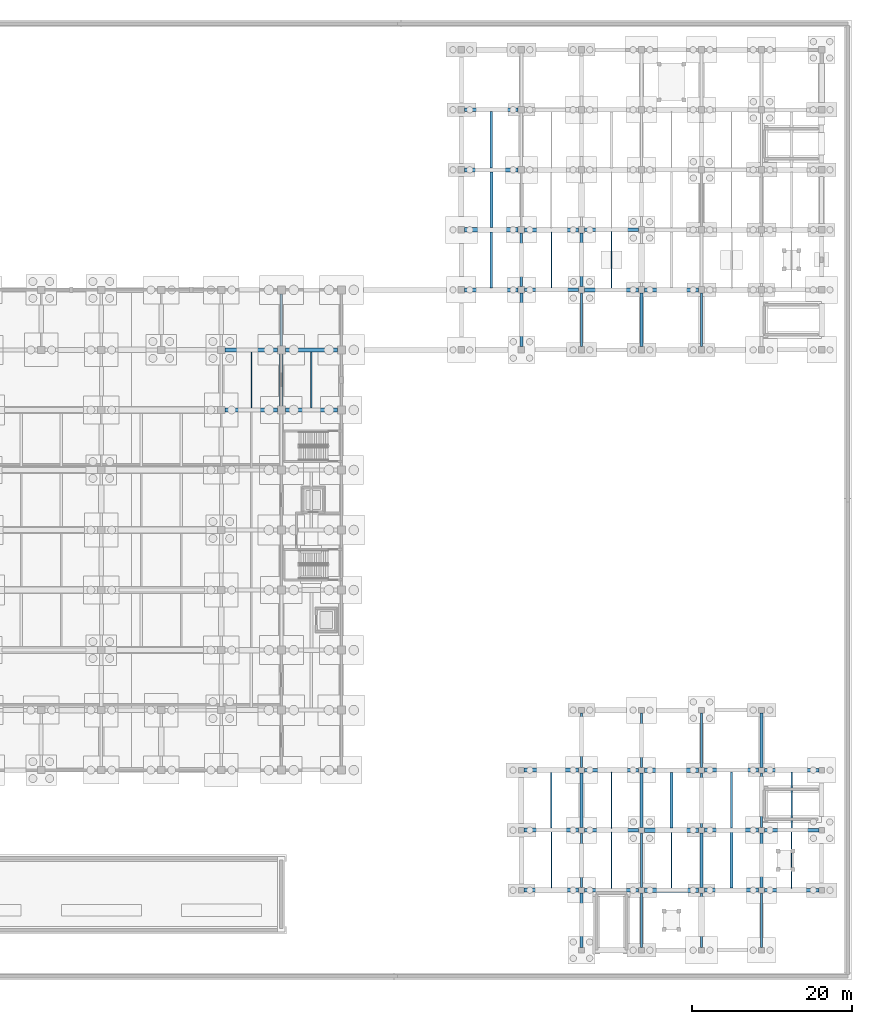
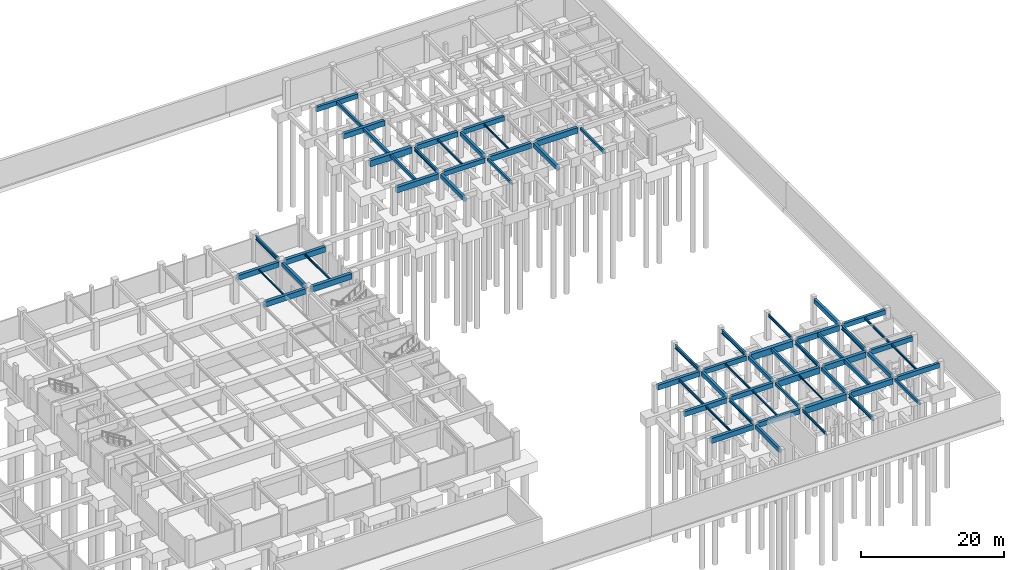
# One storey, part 18 of 38: 69 beams.
"""IFC4 building model written with IfcOpenShell, lengths in metres."""

from ifc_helpers import new_model, si_unit, direction, frame, origin, origin_2d, place, context, subcontext, project, spatial, rectangle, i_section, extrude, material, material_profile, profile_set, type_object, element, save


model = new_model("IFC4")

# Units and contexts
model_context = context("Model", 3, precision=1e-05, world=origin(), true_north=direction((0.0, 1.0)))
body_context = subcontext(model_context, "Body", "Model", "MODEL_VIEW")
ifc_project = project(units=[si_unit("LENGTHUNIT", "METRE"), si_unit("AREAUNIT", "SQUARE_METRE"), si_unit("VOLUMEUNIT", "CUBIC_METRE"), si_unit("PLANEANGLEUNIT", "RADIAN"), si_unit("MASSUNIT", "GRAM", prefix="KILO")], contexts=[model_context])

# Site, building, storey
site_placement = place(None, origin())
site = spatial("IfcSite", under=ifc_project, at=site_placement, CompositionType="ELEMENT")
building_placement = place(site_placement, origin())
building = spatial("IfcBuilding", under=site, at=building_placement, Name="Qasida Concert Hall", CompositionType="ELEMENT")
storey_placement = place(building_placement, frame((0.0, 0.0, -4.800048828125)))
storey = spatial("IfcBuildingStorey", under=building, at=storey_placement, Name="B1", CompositionType="ELEMENT", Elevation=-4.800048828125)

# Beams
ifc_material_1 = material(Name="Concrete C40/50", Category="concrete")
ifc_material_profile_1 = material_profile(ifc_material_1, rectangle(XDim=0.39990234375, YDim=0.64990234375, at=origin_2d()), Name="RC 400x650")
ifc_profile_set_1 = profile_set([ifc_material_profile_1], Name="Concrete C40/50")
beam_type_1 = type_object("IfcBeamType", Name="BM-B1", PredefinedType="BEAM", material=ifc_profile_set_1)
beam_1_placement = place(storey_placement, frame((97.5, 68.0, 4.175048828125), z_axis=(0.0, 1.0, 0.0), x_axis=(-1.0, 0.0, 0.0)))
element("IfcBeam", 1, at=beam_1_placement, inside=storey, type_object=beam_type_1, Name="B1 girder 0074", PredefinedType="BEAM", context=body_context, shape_type="SweptSolid", body=[
    extrude(rectangle(XDim=0.39990234375, YDim=0.64990234375, at=origin_2d()), origin(), (0.0, 0.0, 1.0), 6.5),
])
for number, where, z_axis, x_axis, name in (
    (2, (135.0, 0.35009765625, 4.175048828125), (0.0, 1.0, 0.0), (-1.0, 0.0, 0.0), "B1 girder 0121"),
    (3, (157.5, 7.85009765625, 4.175048828125), (0.0, 1.0, 0.0), (-1.0, 0.0, 0.0), "B1 girder 0134"),
):
    element("IfcBeam", number, at=place(storey_placement, frame(where, z_axis=z_axis, x_axis=x_axis)), inside=storey, type_object=beam_type_1, Name=name, PredefinedType="BEAM", context=body_context, shape_type="SweptSolid", body=[
        extrude(rectangle(XDim=0.39990234375, YDim=0.64990234375, at=origin_2d()), origin(), (0.0, 0.0, 1.0), 6.7998046875),
    ])
beam_2_placement = place(storey_placement, frame((135.0, 82.89990234375, 4.175048828125), z_axis=(0.0, 1.0, 0.0), x_axis=(-1.0, 0.0, 0.0)))
element("IfcBeam", 4, at=beam_2_placement, inside=storey, type_object=beam_type_1, Name="B1 girder 0259", PredefinedType="BEAM", context=body_context, shape_type="SweptSolid", body=[
    extrude(rectangle(XDim=0.39990234375, YDim=0.64990234375, at=origin_2d()), origin(), (0.0, 0.0, 1.0), 6.7001953125),
])
ifc_material_profile_2 = material_profile(ifc_material_1, rectangle(XDim=0.3798828125, YDim=0.6201171875, at=origin_2d()), Name="RC 380x620")
ifc_profile_set_2 = profile_set([ifc_material_profile_2], Name="Concrete C40/50")
beam_type_2 = type_object("IfcBeamType", Name="BM-B10", PredefinedType="BEAM", material=ifc_profile_set_2)
beam_3_placement = place(storey_placement, frame((150.0, 7.85009765625, 4.18994140625), z_axis=(0.0, 1.0, 0.0), x_axis=(-1.0, 0.0, 0.0)))
element("IfcBeam", 5, at=beam_3_placement, inside=storey, type_object=beam_type_2, Name="B1 girder 0130", PredefinedType="BEAM", context=body_context, shape_type="SweptSolid", body=[
    extrude(rectangle(XDim=0.3798828125, YDim=0.6201171875, at=origin_2d()), origin(), (0.0, 0.0, 1.0), 6.7998046875),
])
ifc_material_profile_3 = material_profile(ifc_material_1, rectangle(XDim=0.419921875, YDim=0.699951171875, at=origin_2d()), Name="RC 420x700")
ifc_profile_set_3 = profile_set([ifc_material_profile_3], Name="Concrete C40/50")
beam_type_3 = type_object("IfcBeamType", Name="BM-B11", PredefinedType="BEAM", material=ifc_profile_set_3)
for number, where, z_axis, x_axis, name in (
    (6, (135.0, 15.35009765625, 4.150146484375), (0.0, 1.0, 0.0), (-1.0, 0.0, 0.0), "B1 girder 0123"),
    (7, (157.5, 22.85009765625, 4.150146484375), (0.0, 1.0, 0.0), (-1.0, 0.0, 0.0), "B1 girder 0136"),
):
    element("IfcBeam", number, at=place(storey_placement, frame(where, z_axis=z_axis, x_axis=x_axis)), inside=storey, type_object=beam_type_3, Name=name, PredefinedType="BEAM", context=body_context, shape_type="SweptSolid", body=[
        extrude(rectangle(XDim=0.419921875, YDim=0.699951171875, at=origin_2d()), origin(), (0.0, 0.0, 1.0), 6.7998046875),
    ])
for number, where, z_axis, x_axis, name in (
    (8, (127.5, 75.39990234375, 4.150146484375), (0.0, 1.0, 0.0), (-1.0, 0.0, 0.0), "B1 girder 0253"),
    (9, (142.5, 75.39990234375, 4.150146484375), (0.0, 1.0, 0.0), (-1.0, 0.0, 0.0), "B1 girder 0263"),
):
    element("IfcBeam", number, at=place(storey_placement, frame(where, z_axis=z_axis, x_axis=x_axis)), inside=storey, type_object=beam_type_3, Name=name, PredefinedType="BEAM", context=body_context, shape_type="SweptSolid", body=[
        extrude(rectangle(XDim=0.419921875, YDim=0.699951171875, at=origin_2d()), origin(), (0.0, 0.0, 1.0), 6.7001953125),
    ])
ifc_material_2 = material(Name="Steel S355J2", Category="steel")
ifc_material_profile_4 = material_profile(ifc_material_2, i_section(OverallWidth=0.300048828125, OverallDepth=0.550048828125, WebThickness=0.014892578125, FlangeThickness=0.029052734375, FilletRadius=0.027099609375, at=origin_2d()), Name="HEB 550")
ifc_profile_set_4 = profile_set([ifc_material_profile_4], Name="Steel S355J2")
beam_type_4 = type_object("IfcBeamType", Name="BM-B12", PredefinedType="BEAM", material=ifc_profile_set_4)
for number, where, z_axis, x_axis, name in (
    (10, (135.0, 7.85009765625, 4.22509765625), (0.0, 1.0, 0.0), (-1.0, 0.0, 0.0), "B1 girder 0122"),
    (11, (150.0, 0.35009765625, 4.22509765625), (0.0, 1.0, 0.0), (-1.0, 0.0, 0.0), "B1 girder 0129"),
):
    element("IfcBeam", number, at=place(storey_placement, frame(where, z_axis=z_axis, x_axis=x_axis)), inside=storey, type_object=beam_type_4, Name=name, PredefinedType="BEAM", context=body_context, shape_type="SweptSolid", body=[
        extrude(i_section(OverallWidth=0.300048828125, OverallDepth=0.550048828125, WebThickness=0.014892578125, FlangeThickness=0.029052734375, FilletRadius=0.027099609375, at=origin_2d()), origin(), (0.0, 0.0, 1.0), 6.7998046875),
    ])
ifc_material_profile_5 = material_profile(ifc_material_2, i_section(OverallWidth=0.300048828125, OverallDepth=0.64990234375, WebThickness=0.01611328125, FlangeThickness=0.031005859375, FilletRadius=0.027099609375, at=origin_2d()), Name="HEB 650")
ifc_profile_set_5 = profile_set([ifc_material_profile_5], Name="Steel S355J2")
beam_type_5 = type_object("IfcBeamType", Name="BM-B13", PredefinedType="BEAM", material=ifc_profile_set_5)
beam_4_placement = place(storey_placement, frame((97.5, 75.5, 4.175048828125), z_axis=(0.0, 1.0, 0.0), x_axis=(-1.0, 0.0, 0.0)))
element("IfcBeam", 12, at=beam_4_placement, inside=storey, type_object=beam_type_5, Name="B1 girder 0075", PredefinedType="BEAM", context=body_context, shape_type="SweptSolid", body=[
    extrude(i_section(OverallWidth=0.300048828125, OverallDepth=0.64990234375, WebThickness=0.01611328125, FlangeThickness=0.031005859375, FilletRadius=0.027099609375, at=origin_2d()), origin(), (0.0, 0.0, 1.0), 6.5),
])
for number, where, z_axis, x_axis, name in (
    (13, (142.5, 22.85009765625, 4.175048828125), (0.0, 1.0, 0.0), (-1.0, 0.0, 0.0), "B1 girder 0128"),
    (14, (157.5, 15.35009765625, 4.175048828125), (0.0, 1.0, 0.0), (-1.0, 0.0, 0.0), "B1 girder 0135"),
):
    element("IfcBeam", number, at=place(storey_placement, frame(where, z_axis=z_axis, x_axis=x_axis)), inside=storey, type_object=beam_type_5, Name=name, PredefinedType="BEAM", context=body_context, shape_type="SweptSolid", body=[
        extrude(i_section(OverallWidth=0.300048828125, OverallDepth=0.64990234375, WebThickness=0.01611328125, FlangeThickness=0.031005859375, FilletRadius=0.027099609375, at=origin_2d()), origin(), (0.0, 0.0, 1.0), 6.7998046875),
    ])
ifc_material_profile_6 = material_profile(ifc_material_1, rectangle(XDim=0.35009765625, YDim=0.60009765625, at=origin_2d()), Name="RC 350x600")
ifc_profile_set_6 = profile_set([ifc_material_profile_6], Name="Concrete C40/50")
beam_type_6 = type_object("IfcBeamType", Name="BM-B2", PredefinedType="BEAM", material=ifc_profile_set_6)
beam_5_placement = place(storey_placement, frame((142.5, 15.35009765625, 4.199951171875), z_axis=(0.0, 1.0, 0.0), x_axis=(-1.0, 0.0, 0.0)))
element("IfcBeam", 15, at=beam_5_placement, inside=storey, type_object=beam_type_6, Name="B1 girder 0127", PredefinedType="BEAM", context=body_context, shape_type="SweptSolid", body=[
    extrude(rectangle(XDim=0.35009765625, YDim=0.60009765625, at=origin_2d()), origin(), (0.0, 0.0, 1.0), 6.7998046875),
])
ifc_material_profile_7 = material_profile(ifc_material_1, rectangle(XDim=0.300048828125, YDim=0.449951171875, at=origin_2d()), Name="RC 300x450")
ifc_profile_set_7 = profile_set([ifc_material_profile_7], Name="Concrete C40/50")
beam_type_7 = type_object("IfcBeamType", Name="BM-B3", PredefinedType="BEAM", material=ifc_profile_set_7)
for number, where, z_axis, x_axis, name in (
    (16, (142.5, 7.85009765625, 4.275146484375), (0.0, 1.0, 0.0), (-1.0, 0.0, 0.0), "B1 girder 0126"),
    (17, (157.5, 0.35009765625, 4.275146484375), (0.0, 1.0, 0.0), (-1.0, 0.0, 0.0), "B1 girder 0133"),
):
    element("IfcBeam", number, at=place(storey_placement, frame(where, z_axis=z_axis, x_axis=x_axis)), inside=storey, type_object=beam_type_7, Name=name, PredefinedType="BEAM", context=body_context, shape_type="SweptSolid", body=[
        extrude(rectangle(XDim=0.300048828125, YDim=0.449951171875, at=origin_2d()), origin(), (0.0, 0.0, 1.0), 6.7998046875),
    ])
for number, where, z_axis, x_axis, name in (
    (18, (135.0, 75.39990234375, 4.275146484375), (0.0, 1.0, 0.0), (-1.0, 0.0, 0.0), "B1 girder 0258"),
    (19, (150.0, 75.39990234375, 4.275146484375), (0.0, 1.0, 0.0), (-1.0, 0.0, 0.0), "B1 girder 0268"),
):
    element("IfcBeam", number, at=place(storey_placement, frame(where, z_axis=z_axis, x_axis=x_axis)), inside=storey, type_object=beam_type_7, Name=name, PredefinedType="BEAM", context=body_context, shape_type="SweptSolid", body=[
        extrude(rectangle(XDim=0.300048828125, YDim=0.449951171875, at=origin_2d()), origin(), (0.0, 0.0, 1.0), 6.7001953125),
    ])
ifc_material_profile_8 = material_profile(ifc_material_2, i_section(OverallWidth=0.199951171875, OverallDepth=0.5, WebThickness=0.01025390625, FlangeThickness=0.01611328125, FilletRadius=0.02099609375, at=origin_2d()), Name="IPE 500")
ifc_profile_set_8 = profile_set([ifc_material_profile_8], Name="Steel S355J2")
beam_type_8 = type_object("IfcBeamType", Name="BM-B4", PredefinedType="BEAM", material=ifc_profile_set_8)
beam_6_placement = place(storey_placement, frame((150.0, 22.85009765625, 4.25), z_axis=(0.0, 1.0, 0.0), x_axis=(-1.0, 0.0, 0.0)))
element("IfcBeam", 20, at=beam_6_placement, inside=storey, type_object=beam_type_8, Name="B1 girder 0132", PredefinedType="BEAM", context=body_context, shape_type="SweptSolid", body=[
    extrude(i_section(OverallWidth=0.199951171875, OverallDepth=0.5, WebThickness=0.01025390625, FlangeThickness=0.01611328125, FilletRadius=0.02099609375, at=origin_2d()), origin(), (0.0, 0.0, 1.0), 6.7998046875),
])
ifc_material_profile_9 = material_profile(ifc_material_2, i_section(OverallWidth=0.18994140625, OverallDepth=0.449951171875, WebThickness=0.009521484375, FlangeThickness=0.0146484375, FilletRadius=0.02099609375, at=origin_2d()), Name="IPE 450")
ifc_profile_set_9 = profile_set([ifc_material_profile_9], Name="Steel S355J2")
beam_type_9 = type_object("IfcBeamType", Name="BM-B5", PredefinedType="BEAM", material=ifc_profile_set_9)
beam_7_placement = place(storey_placement, frame((142.5, 0.35009765625, 4.275146484375), z_axis=(0.0, 1.0, 0.0), x_axis=(-1.0, 0.0, 0.0)))
element("IfcBeam", 21, at=beam_7_placement, inside=storey, type_object=beam_type_9, Name="B1 girder 0125", PredefinedType="BEAM", context=body_context, shape_type="SweptSolid", body=[
    extrude(i_section(OverallWidth=0.18994140625, OverallDepth=0.449951171875, WebThickness=0.009521484375, FlangeThickness=0.0146484375, FilletRadius=0.02099609375, at=origin_2d()), origin(), (0.0, 0.0, 1.0), 6.7998046875),
])
ifc_material_profile_10 = material_profile(ifc_material_2, i_section(OverallWidth=0.300048828125, OverallDepth=0.60009765625, WebThickness=0.015380859375, FlangeThickness=0.030029296875, FilletRadius=0.027099609375, at=origin_2d()), Name="HEB 600")
ifc_profile_set_10 = profile_set([ifc_material_profile_10], Name="Steel S355J2")
beam_type_10 = type_object("IfcBeamType", Name="BM-B6", PredefinedType="BEAM", material=ifc_profile_set_10)
for number, where, z_axis, x_axis, name in (
    (22, (135.0, 22.85009765625, 4.199951171875), (0.0, 1.0, 0.0), (-1.0, 0.0, 0.0), "B1 girder 0124"),
    (23, (150.0, 15.35009765625, 4.199951171875), (0.0, 1.0, 0.0), (-1.0, 0.0, 0.0), "B1 girder 0131"),
):
    element("IfcBeam", number, at=place(storey_placement, frame(where, z_axis=z_axis, x_axis=x_axis)), inside=storey, type_object=beam_type_10, Name=name, PredefinedType="BEAM", context=body_context, shape_type="SweptSolid", body=[
        extrude(i_section(OverallWidth=0.300048828125, OverallDepth=0.60009765625, WebThickness=0.015380859375, FlangeThickness=0.030029296875, FilletRadius=0.027099609375, at=origin_2d()), origin(), (0.0, 0.0, 1.0), 6.7998046875),
    ])
beam_8_placement = place(storey_placement, frame((127.5, 82.89990234375, 4.199951171875), z_axis=(0.0, 1.0, 0.0), x_axis=(-1.0, 0.0, 0.0)))
element("IfcBeam", 24, at=beam_8_placement, inside=storey, type_object=beam_type_10, Name="B1 girder 0254", PredefinedType="BEAM", context=body_context, shape_type="SweptSolid", body=[
    extrude(i_section(OverallWidth=0.300048828125, OverallDepth=0.60009765625, WebThickness=0.015380859375, FlangeThickness=0.030029296875, FilletRadius=0.027099609375, at=origin_2d()), origin(), (0.0, 0.0, 1.0), 6.7001953125),
])
ifc_material_profile_11 = material_profile(ifc_material_1, rectangle(XDim=0.5, YDim=0.89990234375, at=origin_2d()), Name="RC 500x900")
ifc_profile_set_11 = profile_set([ifc_material_profile_11], Name="Concrete C40/50")
beam_type_11 = type_object("IfcBeamType", Name="BM-G1", PredefinedType="USERDEFINED", material=ifc_profile_set_11)
beam_9_placement = place(storey_placement, frame((90.449951171875, 67.5, 4.050048828125), z_axis=(1.0, 0.0, 0.0), x_axis=(0.0, 1.0, 0.0)))
element("IfcBeam", 25, at=beam_9_placement, inside=storey, type_object=beam_type_11, Name="Primary girder 0031", ObjectType="GIRDER", PredefinedType="USERDEFINED", context=body_context, shape_type="SweptSolid", body=[
    extrude(rectangle(XDim=0.5, YDim=0.89990234375, at=origin_2d()), origin(), (0.0, 0.0, 1.0), 6.550048828125),
])
beam_10_placement = place(storey_placement, frame((98.0, 75.0, 4.050048828125), z_axis=(1.0, 0.0, 0.0), x_axis=(0.0, 1.0, 0.0)))
element("IfcBeam", 26, at=beam_10_placement, inside=storey, type_object=beam_type_11, Name="Primary girder 0039", ObjectType="GIRDER", PredefinedType="USERDEFINED", context=body_context, shape_type="SweptSolid", body=[
    extrude(rectangle(XDim=0.5, YDim=0.89990234375, at=origin_2d()), origin(), (0.0, 0.0, 1.0), 6.5),
])
for number, where, z_axis, x_axis, name in (
    (27, (135.39990234375, 82.5, 4.050048828125), (1.0, 0.0, 0.0), (0.0, 1.0, 0.0), "Primary girder 0231"),
    (28, (120.39990234375, 97.5, 4.050048828125), (1.0, 0.0, 0.0), (0.0, 1.0, 0.0), "Primary girder 0241"),
):
    element("IfcBeam", number, at=place(storey_placement, frame(where, z_axis=z_axis, x_axis=x_axis)), inside=storey, type_object=beam_type_11, Name=name, ObjectType="GIRDER", PredefinedType="USERDEFINED", context=body_context, shape_type="SweptSolid", body=[
        extrude(rectangle(XDim=0.5, YDim=0.89990234375, at=origin_2d()), origin(), (0.0, 0.0, 1.0), 6.7001953125),
    ])
ifc_material_profile_12 = material_profile(ifc_material_1, rectangle(XDim=0.449951171875, YDim=0.800048828125, at=origin_2d()), Name="RC 450x800")
ifc_profile_set_12 = profile_set([ifc_material_profile_12], Name="Concrete C40/50")
beam_type_12 = type_object("IfcBeamType", Name="BM-G2", PredefinedType="USERDEFINED", material=ifc_profile_set_12)
for number, where, z_axis, x_axis, name in (
    (29, (135.35009765625, 7.5, 4.10009765625), (1.0, 0.0, 0.0), (0.0, 1.0, 0.0), "Primary girder 0107"),
    (30, (157.85009765625, 7.5, 4.10009765625), (1.0, 0.0, 0.0), (0.0, 1.0, 0.0), "Primary girder 0110"),
    (31, (135.35009765625, 15.0, 4.10009765625), (1.0, 0.0, 0.0), (0.0, 1.0, 0.0), "Primary girder 0112"),
    (32, (157.85009765625, 15.0, 4.10009765625), (1.0, 0.0, 0.0), (0.0, 1.0, 0.0), "Primary girder 0115"),
    (33, (135.35009765625, 22.5, 4.10009765625), (1.0, 0.0, 0.0), (0.0, 1.0, 0.0), "Primary girder 0117"),
    (34, (157.85009765625, 22.5, 4.10009765625), (1.0, 0.0, 0.0), (0.0, 1.0, 0.0), "Primary girder 0120"),
):
    element("IfcBeam", number, at=place(storey_placement, frame(where, z_axis=z_axis, x_axis=x_axis)), inside=storey, type_object=beam_type_12, Name=name, ObjectType="GIRDER", PredefinedType="USERDEFINED", context=body_context, shape_type="SweptSolid", body=[
        extrude(rectangle(XDim=0.449951171875, YDim=0.800048828125, at=origin_2d()), origin(), (0.0, 0.0, 1.0), 6.7998046875),
    ])
for number, where, z_axis, x_axis, name in (
    (35, (127.89990234375, 82.5, 4.10009765625), (1.0, 0.0, 0.0), (0.0, 1.0, 0.0), "Primary girder 0230"),
    (36, (135.39990234375, 90.0, 4.10009765625), (1.0, 0.0, 0.0), (0.0, 1.0, 0.0), "Primary girder 0237"),
    (37, (120.39990234375, 105.0, 4.10009765625), (1.0, 0.0, 0.0), (0.0, 1.0, 0.0), "Primary girder 0247"),
):
    element("IfcBeam", number, at=place(storey_placement, frame(where, z_axis=z_axis, x_axis=x_axis)), inside=storey, type_object=beam_type_12, Name=name, ObjectType="GIRDER", PredefinedType="USERDEFINED", context=body_context, shape_type="SweptSolid", body=[
        extrude(rectangle(XDim=0.449951171875, YDim=0.800048828125, at=origin_2d()), origin(), (0.0, 0.0, 1.0), 6.7001953125),
    ])
ifc_material_profile_13 = material_profile(ifc_material_1, rectangle(XDim=0.47998046875, YDim=0.85009765625, at=origin_2d()), Name="RC 480x850")
ifc_profile_set_13 = profile_set([ifc_material_profile_13], Name="Concrete C40/50")
beam_type_13 = type_object("IfcBeamType", Name="BM-G6", PredefinedType="USERDEFINED", material=ifc_profile_set_13)
beam_11_placement = place(storey_placement, frame((90.449951171875, 75.0, 4.074951171875), z_axis=(1.0, 0.0, 0.0), x_axis=(0.0, 1.0, 0.0)))
element("IfcBeam", 38, at=beam_11_placement, inside=storey, type_object=beam_type_13, Name="Primary girder 0038", ObjectType="GIRDER", PredefinedType="USERDEFINED", context=body_context, shape_type="SweptSolid", body=[
    extrude(rectangle(XDim=0.47998046875, YDim=0.85009765625, at=origin_2d()), origin(), (0.0, 0.0, 1.0), 6.550048828125),
])
for number, where, z_axis, x_axis, name in (
    (39, (127.85009765625, 7.5, 4.074951171875), (1.0, 0.0, 0.0), (0.0, 1.0, 0.0), "Primary girder 0106"),
    (40, (127.85009765625, 15.0, 4.074951171875), (1.0, 0.0, 0.0), (0.0, 1.0, 0.0), "Primary girder 0111"),
    (41, (127.85009765625, 22.5, 4.074951171875), (1.0, 0.0, 0.0), (0.0, 1.0, 0.0), "Primary girder 0116"),
):
    element("IfcBeam", number, at=place(storey_placement, frame(where, z_axis=z_axis, x_axis=x_axis)), inside=storey, type_object=beam_type_13, Name=name, ObjectType="GIRDER", PredefinedType="USERDEFINED", context=body_context, shape_type="SweptSolid", body=[
        extrude(rectangle(XDim=0.47998046875, YDim=0.85009765625, at=origin_2d()), origin(), (0.0, 0.0, 1.0), 6.7998046875),
    ])
beam_12_placement = place(storey_placement, frame((127.89990234375, 90.0, 4.074951171875), z_axis=(1.0, 0.0, 0.0), x_axis=(0.0, 1.0, 0.0)))
element("IfcBeam", 42, at=beam_12_placement, inside=storey, type_object=beam_type_13, Name="Primary girder 0236", ObjectType="GIRDER", PredefinedType="USERDEFINED", context=body_context, shape_type="SweptSolid", body=[
    extrude(rectangle(XDim=0.47998046875, YDim=0.85009765625, at=origin_2d()), origin(), (0.0, 0.0, 1.0), 6.7001953125),
])
ifc_material_profile_14 = material_profile(ifc_material_1, rectangle(XDim=0.52001953125, YDim=0.949951171875, at=origin_2d()), Name="RC 520x950")
ifc_profile_set_14 = profile_set([ifc_material_profile_14], Name="Concrete C40/50")
beam_type_14 = type_object("IfcBeamType", Name="BM-G7", PredefinedType="USERDEFINED", material=ifc_profile_set_14)
beam_13_placement = place(storey_placement, frame((98.0, 67.5, 4.025146484375), z_axis=(1.0, 0.0, 0.0), x_axis=(0.0, 1.0, 0.0)))
element("IfcBeam", 43, at=beam_13_placement, inside=storey, type_object=beam_type_14, Name="Primary girder 0032", ObjectType="GIRDER", PredefinedType="USERDEFINED", context=body_context, shape_type="SweptSolid", body=[
    extrude(rectangle(XDim=0.52001953125, YDim=0.949951171875, at=origin_2d()), origin(), (0.0, 0.0, 1.0), 6.5),
])
for number, where, z_axis, x_axis, name in (
    (44, (150.35009765625, 7.5, 4.025146484375), (1.0, 0.0, 0.0), (0.0, 1.0, 0.0), "Primary girder 0109"),
    (45, (150.35009765625, 15.0, 4.025146484375), (1.0, 0.0, 0.0), (0.0, 1.0, 0.0), "Primary girder 0114"),
    (46, (150.35009765625, 22.5, 4.025146484375), (1.0, 0.0, 0.0), (0.0, 1.0, 0.0), "Primary girder 0119"),
):
    element("IfcBeam", number, at=place(storey_placement, frame(where, z_axis=z_axis, x_axis=x_axis)), inside=storey, type_object=beam_type_14, Name=name, ObjectType="GIRDER", PredefinedType="USERDEFINED", context=body_context, shape_type="SweptSolid", body=[
        extrude(rectangle(XDim=0.52001953125, YDim=0.949951171875, at=origin_2d()), origin(), (0.0, 0.0, 1.0), 6.7998046875),
    ])
for number, where, z_axis, x_axis, name in (
    (47, (120.39990234375, 82.5, 4.025146484375), (1.0, 0.0, 0.0), (0.0, 1.0, 0.0), "Primary girder 0229"),
    (48, (142.89990234375, 82.5, 4.025146484375), (1.0, 0.0, 0.0), (0.0, 1.0, 0.0), "Primary girder 0232"),
):
    element("IfcBeam", number, at=place(storey_placement, frame(where, z_axis=z_axis, x_axis=x_axis)), inside=storey, type_object=beam_type_14, Name=name, ObjectType="GIRDER", PredefinedType="USERDEFINED", context=body_context, shape_type="SweptSolid", body=[
        extrude(rectangle(XDim=0.52001953125, YDim=0.949951171875, at=origin_2d()), origin(), (0.0, 0.0, 1.0), 6.7001953125),
    ])
ifc_material_3 = material(Name="Concrete C50/60", Category="concrete")
ifc_material_profile_15 = material_profile(ifc_material_3, rectangle(XDim=0.580078125, YDim=1.050048828125, at=origin_2d()), Name="RC 580x1050")
ifc_profile_set_15 = profile_set([ifc_material_profile_15], Name="Concrete C50/60")
beam_type_15 = type_object("IfcBeamType", Name="BM-G8", PredefinedType="USERDEFINED", material=ifc_profile_set_15)
for number, where, z_axis, x_axis, name in (
    (49, (142.85009765625, 7.5, 3.97509765625), (1.0, 0.0, 0.0), (0.0, 1.0, 0.0), "Primary girder 0108"),
    (50, (142.85009765625, 15.0, 3.97509765625), (1.0, 0.0, 0.0), (0.0, 1.0, 0.0), "Primary girder 0113"),
    (51, (142.85009765625, 22.5, 3.97509765625), (1.0, 0.0, 0.0), (0.0, 1.0, 0.0), "Primary girder 0118"),
):
    element("IfcBeam", number, at=place(storey_placement, frame(where, z_axis=z_axis, x_axis=x_axis)), inside=storey, type_object=beam_type_15, Name=name, ObjectType="GIRDER", PredefinedType="USERDEFINED", context=body_context, shape_type="SweptSolid", body=[
        extrude(rectangle(XDim=0.580078125, YDim=1.050048828125, at=origin_2d()), origin(), (0.0, 0.0, 1.0), 6.7998046875),
    ])
beam_14_placement = place(storey_placement, frame((120.39990234375, 90.0, 3.97509765625), z_axis=(1.0, 0.0, 0.0), x_axis=(0.0, 1.0, 0.0)))
element("IfcBeam", 52, at=beam_14_placement, inside=storey, type_object=beam_type_15, Name="Primary girder 0235", ObjectType="GIRDER", PredefinedType="USERDEFINED", context=body_context, shape_type="SweptSolid", body=[
    extrude(rectangle(XDim=0.580078125, YDim=1.050048828125, at=origin_2d()), origin(), (0.0, 0.0, 1.0), 6.7001953125),
])
ifc_material_profile_16 = material_profile(ifc_material_1, rectangle(XDim=0.300048828125, YDim=0.550048828125, at=origin_2d()), Name="RC 300x550")
ifc_profile_set_16 = profile_set([ifc_material_profile_16], Name="Concrete C40/50")
beam_type_16 = type_object("IfcBeamType", Name="BM-J1", PredefinedType="JOIST", material=ifc_profile_set_16)
beam_15_placement = place(storey_placement, frame((153.75, 15.260009765625, 4.22509765625), z_axis=(0.0, 1.0, 0.0), x_axis=(-1.0, 0.0, 0.0)))
element("IfcBeam", 53, at=beam_15_placement, inside=storey, type_object=beam_type_16, Name="B1 secondary joist 0144", PredefinedType="JOIST", context=body_context, shape_type="SweptSolid", body=[
    extrude(rectangle(XDim=0.300048828125, YDim=0.550048828125, at=origin_2d()), origin(), (0.0, 0.0, 1.0), 6.97998046875),
])
beam_16_placement = place(storey_placement, frame((123.75, 97.75, 4.22509765625), z_axis=(0.0, 1.0, 0.0), x_axis=(-1.0, 0.0, 0.0)))
element("IfcBeam", 54, at=beam_16_placement, inside=storey, type_object=beam_type_16, Name="B1 secondary joist 0280", PredefinedType="JOIST", context=body_context, shape_type="SweptSolid", body=[
    extrude(rectangle(XDim=0.300048828125, YDim=0.550048828125, at=origin_2d()), origin(), (0.0, 0.0, 1.0), 7.02490234375),
])
ifc_material_profile_17 = material_profile(ifc_material_2, i_section(OverallWidth=0.169921875, OverallDepth=0.360107421875, WebThickness=0.008056640625, FlangeThickness=0.0126953125, FilletRadius=0.01806640625, at=origin_2d()), Name="IPE 360")
ifc_profile_set_17 = profile_set([ifc_material_profile_17], Name="Steel S355J2")
beam_type_17 = type_object("IfcBeamType", Name="BM-J2", PredefinedType="JOIST", material=ifc_profile_set_17)
beam_17_placement = place(storey_placement, frame((101.25, 67.760009765625, 4.320068359375), z_axis=(0.0, 1.0, 0.0), x_axis=(-1.0, 0.0, 0.0)))
element("IfcBeam", 55, at=beam_17_placement, inside=storey, type_object=beam_type_17, Name="B1 secondary joist 0105", PredefinedType="JOIST", context=body_context, shape_type="SweptSolid", body=[
    extrude(i_section(OverallWidth=0.169921875, OverallDepth=0.360107421875, WebThickness=0.008056640625, FlangeThickness=0.0126953125, FilletRadius=0.01806640625, at=origin_2d()), origin(), (0.0, 0.0, 1.0), 6.989990234375),
])
beam_18_placement = place(storey_placement, frame((131.25, 7.739990234375, 4.320068359375), z_axis=(0.0, 1.0, 0.0), x_axis=(-1.0, 0.0, 0.0)))
element("IfcBeam", 56, at=beam_18_placement, inside=storey, type_object=beam_type_17, Name="B1 secondary joist 0137", PredefinedType="JOIST", context=body_context, shape_type="SweptSolid", body=[
    extrude(i_section(OverallWidth=0.169921875, OverallDepth=0.360107421875, WebThickness=0.008056640625, FlangeThickness=0.0126953125, FilletRadius=0.01806640625, at=origin_2d()), origin(), (0.0, 0.0, 1.0), 7.02001953125),
])
beam_19_placement = place(storey_placement, frame((161.25, 7.72509765625, 4.320068359375), z_axis=(0.0, 1.0, 0.0), x_axis=(-1.0, 0.0, 0.0)))
element("IfcBeam", 57, at=beam_19_placement, inside=storey, type_object=beam_type_17, Name="B1 secondary joist 0145", PredefinedType="JOIST", context=body_context, shape_type="SweptSolid", body=[
    extrude(i_section(OverallWidth=0.169921875, OverallDepth=0.360107421875, WebThickness=0.008056640625, FlangeThickness=0.0126953125, FilletRadius=0.01806640625, at=origin_2d()), origin(), (0.0, 0.0, 1.0), 7.0498046875),
])
beam_20_placement = place(storey_placement, frame((131.25, 82.72509765625, 4.320068359375), z_axis=(0.0, 1.0, 0.0), x_axis=(-1.0, 0.0, 0.0)))
element("IfcBeam", 58, at=beam_20_placement, inside=storey, type_object=beam_type_17, Name="B1 secondary joist 0281", PredefinedType="JOIST", context=body_context, shape_type="SweptSolid", body=[
    extrude(i_section(OverallWidth=0.169921875, OverallDepth=0.360107421875, WebThickness=0.008056640625, FlangeThickness=0.0126953125, FilletRadius=0.01806640625, at=origin_2d()), origin(), (0.0, 0.0, 1.0), 7.034912109375),
])
ifc_material_profile_18 = material_profile(ifc_material_2, i_section(OverallWidth=0.179931640625, OverallDepth=0.39990234375, WebThickness=0.008544921875, FlangeThickness=0.013427734375, FilletRadius=0.02099609375, at=origin_2d()), Name="IPE 400")
ifc_profile_set_18 = profile_set([ifc_material_profile_18], Name="Steel S355J2")
beam_type_18 = type_object("IfcBeamType", Name="BM-J3", PredefinedType="JOIST", material=ifc_profile_set_18)
beam_21_placement = place(storey_placement, frame((131.25, 15.239990234375, 4.300048828125), z_axis=(0.0, 1.0, 0.0), x_axis=(-1.0, 0.0, 0.0)))
element("IfcBeam", 59, at=beam_21_placement, inside=storey, type_object=beam_type_18, Name="B1 secondary joist 0138", PredefinedType="JOIST", context=body_context, shape_type="SweptSolid", body=[
    extrude(i_section(OverallWidth=0.179931640625, OverallDepth=0.39990234375, WebThickness=0.008544921875, FlangeThickness=0.013427734375, FilletRadius=0.02099609375, at=origin_2d()), origin(), (0.0, 0.0, 1.0), 7.02001953125),
])
beam_22_placement = place(storey_placement, frame((161.25, 15.22509765625, 4.300048828125), z_axis=(0.0, 1.0, 0.0), x_axis=(-1.0, 0.0, 0.0)))
element("IfcBeam", 60, at=beam_22_placement, inside=storey, type_object=beam_type_18, Name="B1 secondary joist 0146", PredefinedType="JOIST", context=body_context, shape_type="SweptSolid", body=[
    extrude(i_section(OverallWidth=0.179931640625, OverallDepth=0.39990234375, WebThickness=0.008544921875, FlangeThickness=0.013427734375, FilletRadius=0.02099609375, at=origin_2d()), origin(), (0.0, 0.0, 1.0), 7.0498046875),
])
ifc_material_profile_19 = material_profile(ifc_material_2, i_section(OverallWidth=0.14990234375, OverallDepth=0.300048828125, WebThickness=0.007080078125, FlangeThickness=0.0107421875, FilletRadius=0.014892578125, at=origin_2d()), Name="IPE 300")
ifc_profile_set_19 = profile_set([ifc_material_profile_19], Name="Steel S355J2")
beam_type_19 = type_object("IfcBeamType", Name="BM-J4", PredefinedType="JOIST", material=ifc_profile_set_19)
beam_23_placement = place(storey_placement, frame((138.75, 7.72509765625, 4.35009765625), z_axis=(0.0, 1.0, 0.0), x_axis=(-1.0, 0.0, 0.0)))
element("IfcBeam", 61, at=beam_23_placement, inside=storey, type_object=beam_type_19, Name="B1 secondary joist 0139", PredefinedType="JOIST", context=body_context, shape_type="SweptSolid", body=[
    extrude(i_section(OverallWidth=0.14990234375, OverallDepth=0.300048828125, WebThickness=0.007080078125, FlangeThickness=0.0107421875, FilletRadius=0.014892578125, at=origin_2d()), origin(), (0.0, 0.0, 1.0), 7.0498046875),
])
ifc_material_profile_20 = material_profile(ifc_material_2, i_section(OverallWidth=0.159912109375, OverallDepth=0.330078125, WebThickness=0.007568359375, FlangeThickness=0.011474609375, FilletRadius=0.01806640625, at=origin_2d()), Name="IPE 330")
ifc_profile_set_20 = profile_set([ifc_material_profile_20], Name="Steel S355J2")
beam_type_20 = type_object("IfcBeamType", Name="BM-J5", PredefinedType="JOIST", material=ifc_profile_set_20)
beam_24_placement = place(storey_placement, frame((138.75, 15.22509765625, 4.3349609375), z_axis=(0.0, 1.0, 0.0), x_axis=(-1.0, 0.0, 0.0)))
element("IfcBeam", 62, at=beam_24_placement, inside=storey, type_object=beam_type_20, Name="B1 secondary joist 0140", PredefinedType="JOIST", context=body_context, shape_type="SweptSolid", body=[
    extrude(i_section(OverallWidth=0.159912109375, OverallDepth=0.330078125, WebThickness=0.007568359375, FlangeThickness=0.011474609375, FilletRadius=0.01806640625, at=origin_2d()), origin(), (0.0, 0.0, 1.0), 7.0498046875),
])
beam_25_placement = place(storey_placement, frame((138.75, 82.75, 4.3349609375), z_axis=(0.0, 1.0, 0.0), x_axis=(-1.0, 0.0, 0.0)))
element("IfcBeam", 63, at=beam_25_placement, inside=storey, type_object=beam_type_20, Name="B1 secondary joist 0284", PredefinedType="JOIST", context=body_context, shape_type="SweptSolid", body=[
    extrude(i_section(OverallWidth=0.159912109375, OverallDepth=0.330078125, WebThickness=0.007568359375, FlangeThickness=0.011474609375, FilletRadius=0.01806640625, at=origin_2d()), origin(), (0.0, 0.0, 1.0), 7.02490234375),
])
ifc_material_profile_21 = material_profile(ifc_material_2, i_section(OverallWidth=0.135009765625, OverallDepth=0.27001953125, WebThickness=0.006591796875, FlangeThickness=0.01025390625, FilletRadius=0.014892578125, at=origin_2d()), Name="IPE 270")
ifc_profile_set_21 = profile_set([ifc_material_profile_21], Name="Steel S355J2")
beam_type_21 = type_object("IfcBeamType", Name="BM-J6", PredefinedType="JOIST", material=ifc_profile_set_21)
beam_26_placement = place(storey_placement, frame((93.75, 67.75, 4.364990234375), z_axis=(0.0, 1.0, 0.0), x_axis=(-1.0, 0.0, 0.0)))
element("IfcBeam", 64, at=beam_26_placement, inside=storey, type_object=beam_type_21, Name="B1 secondary joist 0101", PredefinedType="JOIST", context=body_context, shape_type="SweptSolid", body=[
    extrude(i_section(OverallWidth=0.135009765625, OverallDepth=0.27001953125, WebThickness=0.006591796875, FlangeThickness=0.01025390625, FilletRadius=0.014892578125, at=origin_2d()), origin(), (0.0, 0.0, 1.0), 7.010009765625),
])
beam_27_placement = place(storey_placement, frame((146.25, 7.7900390625, 4.364990234375), z_axis=(0.0, 1.0, 0.0), x_axis=(-1.0, 0.0, 0.0)))
element("IfcBeam", 65, at=beam_27_placement, inside=storey, type_object=beam_type_21, Name="B1 secondary joist 0141", PredefinedType="JOIST", context=body_context, shape_type="SweptSolid", body=[
    extrude(i_section(OverallWidth=0.135009765625, OverallDepth=0.27001953125, WebThickness=0.006591796875, FlangeThickness=0.01025390625, FilletRadius=0.014892578125, at=origin_2d()), origin(), (0.0, 0.0, 1.0), 6.919921875),
])
ifc_material_profile_22 = material_profile(ifc_material_1, rectangle(XDim=0.320068359375, YDim=0.5, at=origin_2d()), Name="RC 320x500")
ifc_profile_set_22 = profile_set([ifc_material_profile_22], Name="Concrete C40/50")
beam_type_22 = type_object("IfcBeamType", Name="BM-J7", PredefinedType="JOIST", material=ifc_profile_set_22)
beam_28_placement = place(storey_placement, frame((146.25, 15.2900390625, 4.25), z_axis=(0.0, 1.0, 0.0), x_axis=(-1.0, 0.0, 0.0)))
element("IfcBeam", 66, at=beam_28_placement, inside=storey, type_object=beam_type_22, Name="B1 secondary joist 0142", PredefinedType="JOIST", context=body_context, shape_type="SweptSolid", body=[
    extrude(rectangle(XDim=0.320068359375, YDim=0.5, at=origin_2d()), origin(), (0.0, 0.0, 1.0), 6.919921875),
])
beam_29_placement = place(storey_placement, frame((123.75, 82.760009765625, 4.25), z_axis=(0.0, 1.0, 0.0), x_axis=(-1.0, 0.0, 0.0)))
element("IfcBeam", 67, at=beam_29_placement, inside=storey, type_object=beam_type_22, Name="B1 secondary joist 0278", PredefinedType="JOIST", context=body_context, shape_type="SweptSolid", body=[
    extrude(rectangle(XDim=0.320068359375, YDim=0.5, at=origin_2d()), origin(), (0.0, 0.0, 1.0), 6.949951171875),
])
ifc_material_profile_23 = material_profile(ifc_material_1, rectangle(XDim=0.35009765625, YDim=0.550048828125, at=origin_2d()), Name="RC 350x550")
ifc_profile_set_23 = profile_set([ifc_material_profile_23], Name="Concrete C40/50")
beam_type_23 = type_object("IfcBeamType", Name="BM-J8", PredefinedType="JOIST", material=ifc_profile_set_23)
beam_30_placement = place(storey_placement, frame((153.75, 7.760009765625, 4.22509765625), z_axis=(0.0, 1.0, 0.0), x_axis=(-1.0, 0.0, 0.0)))
element("IfcBeam", 68, at=beam_30_placement, inside=storey, type_object=beam_type_23, Name="B1 secondary joist 0143", PredefinedType="JOIST", context=body_context, shape_type="SweptSolid", body=[
    extrude(rectangle(XDim=0.35009765625, YDim=0.550048828125, at=origin_2d()), origin(), (0.0, 0.0, 1.0), 6.97998046875),
])
beam_31_placement = place(storey_placement, frame((123.75, 90.2900390625, 4.22509765625), z_axis=(0.0, 1.0, 0.0), x_axis=(-1.0, 0.0, 0.0)))
element("IfcBeam", 69, at=beam_31_placement, inside=storey, type_object=beam_type_23, Name="B1 secondary joist 0279", PredefinedType="JOIST", context=body_context, shape_type="SweptSolid", body=[
    extrude(rectangle(XDim=0.35009765625, YDim=0.550048828125, at=origin_2d()), origin(), (0.0, 0.0, 1.0), 6.9599609375),
])

save(model, "model.ifc")
